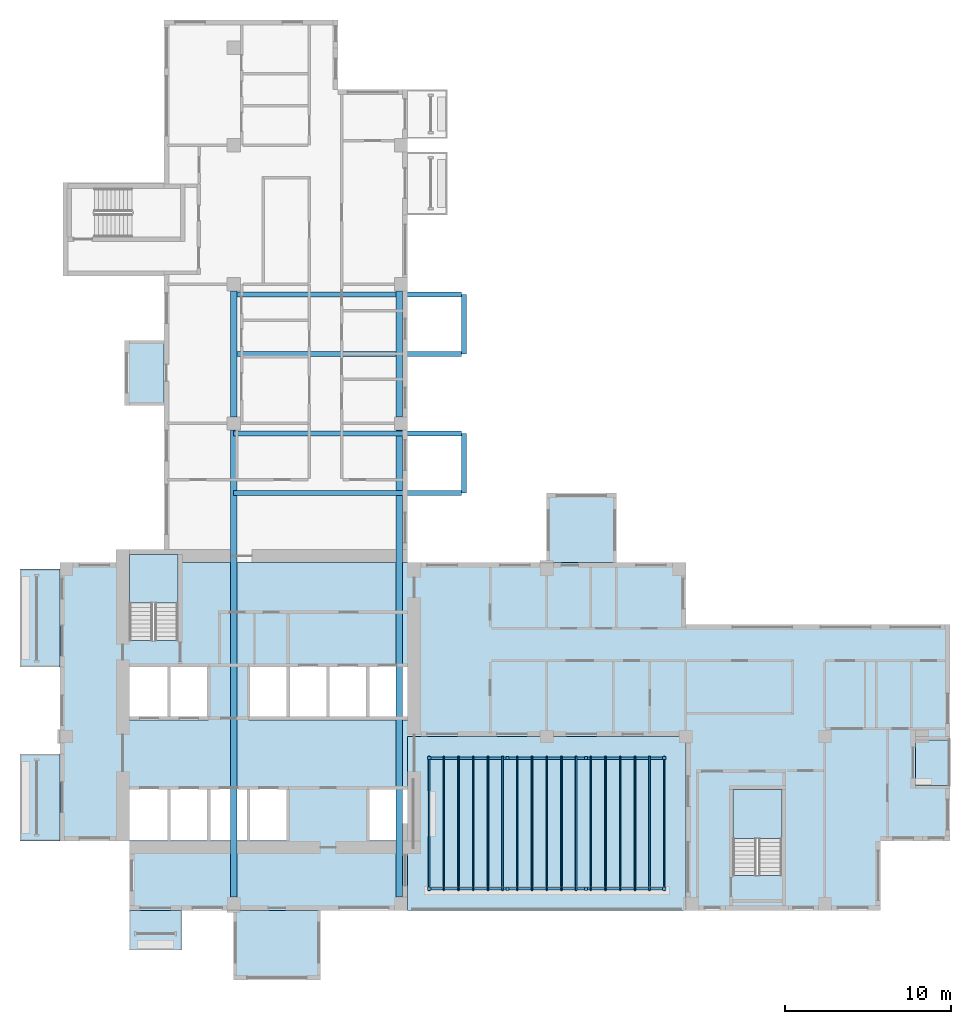
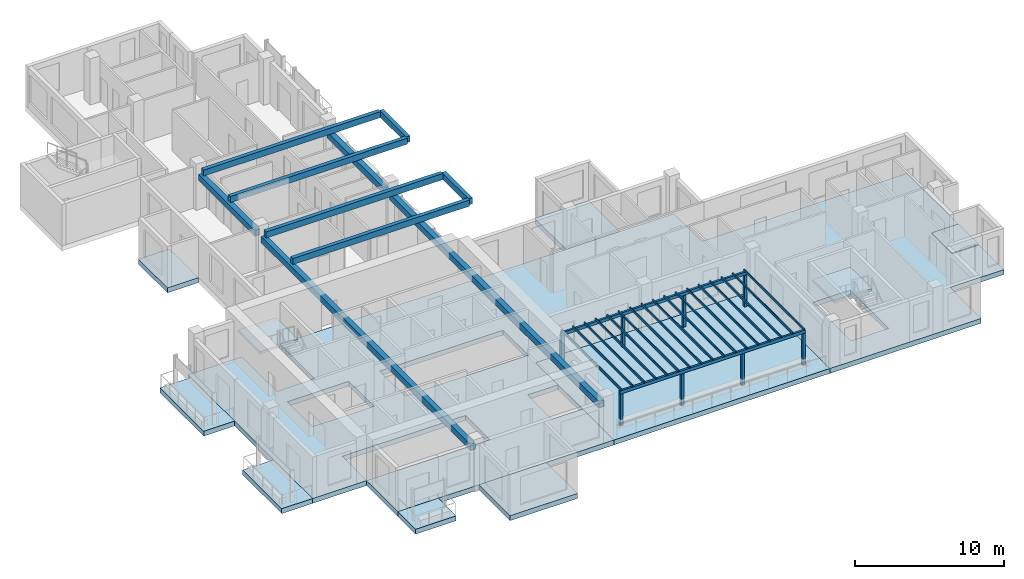
# One storey, part 2 of 13: 27 members, 11 slabs, 10 beams, 2 elements without a shape of their own.
"""IFC4 building model written with IfcOpenShell, lengths in metres."""

from ifc_helpers import new_model, si_unit, direction, frame, origin, origin_2d, place, context, subcontext, project, spatial, polyline, rectangle, outline, extrude, source, transform, mapped, material, layer, layer_set, material_profile, profile_set, type_object, element, aggregate, save


model = new_model("IFC4")

# Units and contexts
model_context = context("Model", 3, precision=1e-05, world=origin(), true_north=direction((0.0, 1.0)))
body_context = subcontext(model_context, "Body", "Model", "MODEL_VIEW")
ifc_project = project(units=[si_unit("LENGTHUNIT", "METRE"), si_unit("AREAUNIT", "SQUARE_METRE"), si_unit("VOLUMEUNIT", "CUBIC_METRE"), si_unit("PLANEANGLEUNIT", "RADIAN"), si_unit("MASSUNIT", "GRAM", prefix="KILO")], contexts=[model_context])

# Site, building, storey
site_placement = place(None, origin())
site = spatial("IfcSite", under=ifc_project, at=site_placement, CompositionType="ELEMENT")
building_placement = place(site_placement, origin())
building = spatial("IfcBuilding", under=site, at=building_placement, Name="Aurelian Terraces", CompositionType="ELEMENT")
storey_placement = place(building_placement, frame((0.0, 0.0, 253.8)))
storey = spatial("IfcBuildingStorey", under=building, at=storey_placement, Name="L58", CompositionType="ELEMENT", Elevation=253.8)

# Beams
ifc_material_1 = material(Name="Concrete fc' 40 MPa", Category="concrete")
ifc_material_profile_1 = material_profile(ifc_material_1, rectangle(XDim=0.3, YDim=0.5, at=origin_2d()))
ifc_profile_set_1 = profile_set([ifc_material_profile_1], Name="Concrete fc' 40 MPa")
beam_type_1 = type_object("IfcBeamType", Name="CONCRETE CANTILEVER BEAM 300X500", PredefinedType="BEAM", material=ifc_profile_set_1)
shared_shape_1 = source(origin(), body_context, "Body", "SweptSolid", [
    extrude(rectangle(XDim=0.3, YDim=0.5, at=origin_2d()), origin(), (0.0, 0.0, 1.0), 13.75),
])
for number, where, z_axis, x_axis, name in (
    (1, (24.25, 25.2, 3.15), (-1.0, 0.0, 0.0), (0.0, -1.0, 0.0), "Box cantilever beam J86.1"),
    (2, (24.25, 28.8, 3.15), (-1.0, 0.0, 0.0), (0.0, -1.0, 0.0), "Box cantilever beam J86.2"),
    (3, (24.25, 33.6, 3.15), (-1.0, 0.0, 0.0), (0.0, -1.0, 0.0), "Box cantilever beam J87.1"),
    (4, (24.25, 37.2, 3.15), (-1.0, 0.0, 0.0), (0.0, -1.0, 0.0), "Box cantilever beam J87.2"),
):
    element("IfcBeam", number, at=place(storey_placement, frame(where, z_axis=z_axis, x_axis=x_axis)), inside=storey, type_object=beam_type_1, Name=name, PredefinedType="BEAM", context=body_context, shape_type="MappedRepresentation", body=[
        mapped(shared_shape_1, transform((0.0, 0.0, 0.0), scale=1.0)),
    ])
ifc_material_profile_2 = material_profile(ifc_material_1, rectangle(XDim=0.4, YDim=0.5, at=origin_2d()))
ifc_profile_set_2 = profile_set([ifc_material_profile_2], Name="Concrete fc' 40 MPa")
beam_type_2 = type_object("IfcBeamType", Name="CONCRETE EDGE GIRDER 400X500", PredefinedType="BEAM", material=ifc_profile_set_2)
shared_shape_2 = source(origin(), body_context, "Body", "SweptSolid", [
    extrude(rectangle(XDim=0.4, YDim=0.5, at=origin_2d()), origin(), (0.0, 0.0, 1.0), 7.6),
])
for number, where, z_axis, x_axis, name in (
    (5, (20.5, 29.8, 2.65), (0.0, 1.0, 0.0), (-1.0, 0.0, 0.0), "Box girder L58 O169"),
    (6, (10.5, 29.8, 2.65), (0.0, 1.0, 0.0), (-1.0, 0.0, 0.0), "Box girder L58 I170"),
):
    element("IfcBeam", number, at=place(storey_placement, frame(where, z_axis=z_axis, x_axis=x_axis)), inside=storey, type_object=beam_type_2, Name=name, PredefinedType="BEAM", context=body_context, shape_type="MappedRepresentation", body=[
        mapped(shared_shape_2, transform((0.0, 0.0, 0.0), scale=1.0)),
    ])
shared_shape_3 = source(origin(), body_context, "Body", "SweptSolid", [
    extrude(rectangle(XDim=0.3, YDim=0.5, at=origin_2d()), origin(), (0.0, 0.0, 1.0), 3.6),
])
for number, where, z_axis, x_axis, name in (
    (7, (24.4, 25.2, 3.15), (0.0, 1.0, 0.0), (-1.0, 0.0, 0.0), "Box tip beam J86"),
    (8, (24.4, 33.6, 3.15), (0.0, 1.0, 0.0), (-1.0, 0.0, 0.0), "Box tip beam J87"),
):
    element("IfcBeam", number, at=place(storey_placement, frame(where, z_axis=z_axis, x_axis=x_axis)), inside=storey, type_object=beam_type_1, Name=name, PredefinedType="BEAM", context=body_context, shape_type="MappedRepresentation", body=[
        mapped(shared_shape_3, transform((0.0, 0.0, 0.0), scale=1.0)),
    ])
shared_shape_4 = source(origin(), body_context, "Body", "SweptSolid", [
    extrude(rectangle(XDim=0.4, YDim=0.5, at=origin_2d()), origin(), (0.0, 0.0, 1.0), 28.2),
])
for number, where, z_axis, x_axis, name in (
    (9, (20.5, 0.8, 2.65), (0.0, 1.0, 0.0), (-1.0, 0.0, 0.0), "Box girder L58 O167"),
    (10, (10.5, 0.8, 2.65), (0.0, 1.0, 0.0), (-1.0, 0.0, 0.0), "Box girder L58 I168"),
):
    element("IfcBeam", number, at=place(storey_placement, frame(where, z_axis=z_axis, x_axis=x_axis)), inside=storey, type_object=beam_type_2, Name=name, PredefinedType="BEAM", context=body_context, shape_type="MappedRepresentation", body=[
        mapped(shared_shape_4, transform((0.0, 0.0, 0.0), scale=1.0)),
    ])

# Members
ifc_material_2 = material(Name="Anodised aluminium", Category="aluminium")
ifc_material_profile_3 = material_profile(ifc_material_2, rectangle(XDim=0.2, YDim=0.2, at=origin_2d()))
ifc_profile_set_3 = profile_set([ifc_material_profile_3], Name="Anodised aluminium")
member_type_1 = type_object("IfcMemberType", Name="PERGOLA POST 200X200", PredefinedType="POST", material=ifc_profile_set_3)
shared_shape_5 = source(origin(), body_context, "Body", "SweptSolid", [
    extrude(rectangle(XDim=0.2, YDim=0.2, at=origin_2d()), origin(), (0.0, 0.0, 1.0), 2.6),
])
for number, where, z_axis, x_axis, name in (
    (11, (22.3, 1.3, 0.0), (0.0, 0.0, 1.0), (1.0, 0.0, 0.0), "Pergola post L58 SKY-09-T1.1.1"),
    (12, (22.3, 9.2, 0.0), (0.0, 0.0, 1.0), (1.0, 0.0, 0.0), "Pergola post L58 SKY-09-T1.1.2"),
    (13, (27.0333, 1.3, 0.0), (0.0, 0.0, 1.0), (1.0, 0.0, 0.0), "Pergola post L58 SKY-09-T1.2.1"),
    (14, (27.0333, 9.2, 0.0), (0.0, 0.0, 1.0), (1.0, 0.0, 0.0), "Pergola post L58 SKY-09-T1.2.2"),
    (15, (31.7667, 1.3, 0.0), (0.0, 0.0, 1.0), (1.0, 0.0, 0.0), "Pergola post L58 SKY-09-T1.3.1"),
    (16, (31.7667, 9.2, 0.0), (0.0, 0.0, 1.0), (1.0, 0.0, 0.0), "Pergola post L58 SKY-09-T1.3.2"),
    (17, (36.5, 1.3, 0.0), (0.0, 0.0, 1.0), (1.0, 0.0, 0.0), "Pergola post L58 SKY-09-T1.4.1"),
    (18, (36.5, 9.2, 0.0), (0.0, 0.0, 1.0), (1.0, 0.0, 0.0), "Pergola post L58 SKY-09-T1.4.2"),
):
    element("IfcMember", number, at=place(storey_placement, frame(where, z_axis=z_axis, x_axis=x_axis)), inside=storey, type_object=member_type_1, Name=name, PredefinedType="POST", context=body_context, shape_type="MappedRepresentation", body=[
        mapped(shared_shape_5, transform((0.0, 0.0, 0.0), scale=1.0)),
    ])
ifc_material_profile_4 = material_profile(ifc_material_2, rectangle(XDim=0.15, YDim=0.25, at=origin_2d()))
ifc_profile_set_4 = profile_set([ifc_material_profile_4], Name="Anodised aluminium")
member_type_2 = type_object("IfcMemberType", Name="PERGOLA BEAM 150X250", PredefinedType="PURLIN", material=ifc_profile_set_4)
shared_shape_6 = source(origin(), body_context, "Body", "SweptSolid", [
    extrude(rectangle(XDim=0.15, YDim=0.25, at=origin_2d()), origin(), (0.0, 0.0, 1.0), 14.4),
])
for number, where, z_axis, x_axis, name in (
    (19, (22.2, 1.3, 2.725), (1.0, 0.0, 0.0), (0.0, 1.0, 0.0), "Pergola beam L58 SKY-09-T1.1"),
    (20, (22.2, 9.2, 2.725), (1.0, 0.0, 0.0), (0.0, 1.0, 0.0), "Pergola beam L58 SKY-09-T1.2"),
):
    element("IfcMember", number, at=place(storey_placement, frame(where, z_axis=z_axis, x_axis=x_axis)), inside=storey, type_object=member_type_2, Name=name, PredefinedType="PURLIN", context=body_context, shape_type="MappedRepresentation", body=[
        mapped(shared_shape_6, transform((0.0, 0.0, 0.0), scale=1.0)),
    ])
ifc_material_profile_5 = material_profile(ifc_material_2, rectangle(XDim=0.08, YDim=0.15, at=origin_2d()))
ifc_profile_set_5 = profile_set([ifc_material_profile_5], Name="Anodised aluminium")
member_type_3 = type_object("IfcMemberType", Name="PERGOLA RAFTER 80X150", PredefinedType="RAFTER", material=ifc_profile_set_5)
shared_shape_7 = source(origin(), body_context, "Body", "SweptSolid", [
    extrude(rectangle(XDim=0.08, YDim=0.15, at=origin_2d()), origin(), (0.0, 0.0, 1.0), 8.1),
])
for number, where, z_axis, x_axis, name in (
    (21, (22.3, 1.2, 2.925), (0.0, 1.0, 0.0), (-1.0, 0.0, 0.0), "Pergola rafter L58 SKY-09-T1.1"),
    (22, (23.1875, 1.2, 2.925), (0.0, 1.0, 0.0), (-1.0, 0.0, 0.0), "Pergola rafter L58 SKY-09-T1.2"),
    (23, (24.075, 1.2, 2.925), (0.0, 1.0, 0.0), (-1.0, 0.0, 0.0), "Pergola rafter L58 SKY-09-T1.3"),
    (24, (24.9625, 1.2, 2.925), (0.0, 1.0, 0.0), (-1.0, 0.0, 0.0), "Pergola rafter L58 SKY-09-T1.4"),
    (25, (25.85, 1.2, 2.925), (0.0, 1.0, 0.0), (-1.0, 0.0, 0.0), "Pergola rafter L58 SKY-09-T1.5"),
    (26, (26.7375, 1.2, 2.925), (0.0, 1.0, 0.0), (-1.0, 0.0, 0.0), "Pergola rafter L58 SKY-09-T1.6"),
    (27, (27.625, 1.2, 2.925), (0.0, 1.0, 0.0), (-1.0, 0.0, 0.0), "Pergola rafter L58 SKY-09-T1.7"),
    (28, (28.5125, 1.2, 2.925), (0.0, 1.0, 0.0), (-1.0, 0.0, 0.0), "Pergola rafter L58 SKY-09-T1.8"),
    (29, (29.4, 1.2, 2.925), (0.0, 1.0, 0.0), (-1.0, 0.0, 0.0), "Pergola rafter L58 SKY-09-T1.9"),
    (30, (30.2875, 1.2, 2.925), (0.0, 1.0, 0.0), (-1.0, 0.0, 0.0), "Pergola rafter L58 SKY-09-T1.10"),
    (31, (31.175, 1.2, 2.925), (0.0, 1.0, 0.0), (-1.0, 0.0, 0.0), "Pergola rafter L58 SKY-09-T1.11"),
    (32, (32.0625, 1.2, 2.925), (0.0, 1.0, 0.0), (-1.0, 0.0, 0.0), "Pergola rafter L58 SKY-09-T1.12"),
    (33, (32.95, 1.2, 2.925), (0.0, 1.0, 0.0), (-1.0, 0.0, 0.0), "Pergola rafter L58 SKY-09-T1.13"),
    (34, (33.8375, 1.2, 2.925), (0.0, 1.0, 0.0), (-1.0, 0.0, 0.0), "Pergola rafter L58 SKY-09-T1.14"),
    (35, (34.725, 1.2, 2.925), (0.0, 1.0, 0.0), (-1.0, 0.0, 0.0), "Pergola rafter L58 SKY-09-T1.15"),
    (36, (35.6125, 1.2, 2.925), (0.0, 1.0, 0.0), (-1.0, 0.0, 0.0), "Pergola rafter L58 SKY-09-T1.16"),
    (37, (36.5, 1.2, 2.925), (0.0, 1.0, 0.0), (-1.0, 0.0, 0.0), "Pergola rafter L58 SKY-09-T1.17"),
):
    element("IfcMember", number, at=place(storey_placement, frame(where, z_axis=z_axis, x_axis=x_axis)), inside=storey, type_object=member_type_3, Name=name, PredefinedType="RAFTER", context=body_context, shape_type="MappedRepresentation", body=[
        mapped(shared_shape_7, transform((0.0, 0.0, 0.0), scale=1.0)),
    ])

# Slabs
ifc_layer_1 = layer(ifc_material_1, 0.4)
ifc_layer_set_1 = layer_set([ifc_layer_1], Name="Balcony slab 400")
slab_type_1 = type_object("IfcSlabType", Name="Balcony slab 400", PredefinedType="NOTDEFINED", material=ifc_layer_set_1)
slab_1_placement = place(storey_placement, frame((0.0, 0.0, -0.4)))
element("IfcSlab", 38, at=slab_1_placement, inside=storey, type_object=slab_type_1, Name="Balcony slab L58 F24.38", PredefinedType="NOTDEFINED", context=body_context, shape_type="SweptSolid", body=[
    extrude(outline(polyline([(0.0, 20.6), (0.0, 14.7), (-2.4, 14.7), (-2.4, 20.6), (0.0, 20.6)])), origin(), (0.0, 0.0, 1.0), 0.4),
])
ifc_layer_2 = layer(ifc_material_1, 0.4)
ifc_layer_set_2 = layer_set([ifc_layer_2], Name="PT FLAT PLATE 400")
slab_type_2 = type_object("IfcSlabType", Name="PT FLAT PLATE 400", PredefinedType="FLOOR", material=ifc_layer_set_2)
slab_2_placement = place(storey_placement, frame((0.0, 0.0, -0.4)))
element("IfcSlab", 39, at=slab_2_placement, inside=storey, type_object=slab_type_2, Name="Floor slab S L58", PredefinedType="FLOOR", context=body_context, shape_type="SweptSolid", body=[
    extrude(outline(polyline([(49.56, 4.2), (49.56, 0.0), (37.8, 0.0), (37.8, 10.5), (21.0, 10.5), (21.0, 0.0), (4.2, 0.0), (4.2, 4.2), (0.0, 4.2), (0.0, 21.0), (4.21, 21.0), (4.21, 16.31), (7.14, 16.31), (7.14, 21.0), (21.0, 21.0), (37.8, 21.0), (37.8, 17.25), (49.56, 17.25), (53.76, 17.25), (53.76, 16.8), (53.76, 16.65), (53.76, 4.2), (49.56, 4.2)]), holes=[polyline([(40.66, 2.11), (43.59, 2.11), (43.59, 7.29), (40.66, 7.29), (40.66, 2.11)]), polyline([(18.61, 7.49), (18.61, 4.21), (20.99, 4.21), (20.99, 7.49), (18.61, 7.49)]), polyline([(20.99, 14.89), (11.41, 14.89), (11.41, 11.51), (20.99, 11.51), (20.99, 14.89)]), polyline([(4.21, 7.49), (4.21, 4.21), (13.79, 4.21), (13.79, 7.49), (4.21, 7.49)]), polyline([(4.21, 14.89), (4.21, 11.51), (8.99, 11.51), (8.99, 14.89), (4.21, 14.89)])]), origin(), (0.0, 0.0, 1.0), 0.4),
])
ifc_layer_3 = layer(ifc_material_1, 0.4001)
ifc_layer_set_3 = layer_set([ifc_layer_3], Name="Terrace slab 400")
slab_type_3 = type_object("IfcSlabType", Name="Terrace slab 400", PredefinedType="NOTDEFINED", material=ifc_layer_set_3)
shared_shape_8 = source(origin(), body_context, "Body", "SweptSolid", [
    extrude(outline(polyline([(37.8, 10.5), (37.8, 0.0), (21.0, 0.0), (21.0, 10.5), (37.8, 10.5)])), origin(), (0.0, 0.0, 1.0), 0.4001),
])
slab_3_placement = place(storey_placement, frame((0.0, 0.0, -0.4001)))
element("IfcSlab", 40, at=slab_3_placement, inside=storey, type_object=slab_type_3, Name="Sky terrace L58 SKY-09-T1", PredefinedType="NOTDEFINED", context=body_context, shape_type="MappedRepresentation", body=[
    mapped(shared_shape_8, transform((0.0, 0.0, 0.0), scale=1.0)),
])
ifc_layer_4 = layer(ifc_material_1, 0.41)
ifc_layer_set_4 = layer_set([ifc_layer_4], Name="Box floor 410")
slab_type_4 = type_object("IfcSlabType", Name="Box floor 410", PredefinedType="NOTDEFINED", material=ifc_layer_set_4)
shared_shape_9 = source(origin(), body_context, "Body", "SweptSolid", [
    extrude(outline(polyline([(3.9, 34.4), (3.9, 30.5), (6.3, 30.5), (6.3, 34.4), (3.9, 34.4)])), origin(), (0.0, 0.0, 1.0), 0.41),
])
slab_4_placement = place(storey_placement, frame((0.0, 0.0, -0.41)))
element("IfcSlab", 41, at=slab_4_placement, inside=storey, type_object=slab_type_4, Name="Box floor L58 J85", PredefinedType="NOTDEFINED", context=body_context, shape_type="MappedRepresentation", body=[
    mapped(shared_shape_9, transform((0.0, 0.0, 0.0), scale=1.0)),
])
shared_shape_10 = source(origin(), body_context, "Body", "SweptSolid", [
    extrude(outline(polyline([(0.0, 9.45), (0.0, 4.2), (-2.4, 4.2), (-2.4, 9.45), (0.0, 9.45)])), origin(), (0.0, 0.0, 1.0), 0.4),
])
slab_5_placement = place(storey_placement, frame((0.0, 0.0, -0.4)))
element("IfcSlab", 42, at=slab_5_placement, inside=storey, type_object=slab_type_1, Name="Balcony slab L58 F24.40", PredefinedType="NOTDEFINED", context=body_context, shape_type="MappedRepresentation", body=[
    mapped(shared_shape_10, transform((0.0, 0.0, 0.0), scale=1.0)),
])
shared_shape_11 = source(origin(), body_context, "Body", "SweptSolid", [
    extrude(outline(polyline([(33.6, 25.2), (29.4, 25.2), (29.4, 21.0), (33.6, 21.0), (33.6, 25.2)])), origin(), (0.0, 0.0, 1.0), 0.41),
])
slab_6_placement = place(storey_placement, frame((0.0, 0.0, -0.41)))
element("IfcSlab", 43, at=slab_6_placement, inside=storey, type_object=slab_type_4, Name="Box floor L58 J84", PredefinedType="NOTDEFINED", context=body_context, shape_type="MappedRepresentation", body=[
    mapped(shared_shape_11, transform((0.0, 0.0, 0.0), scale=1.0)),
])
shared_shape_12 = source(origin(), body_context, "Body", "SweptSolid", [
    extrude(outline(polyline([(10.5, -4.2), (15.75, -4.2), (15.75, 0.0), (10.5, 0.0), (10.5, -4.2)])), origin(), (0.0, 0.0, 1.0), 0.41),
])
slab_7_placement = place(storey_placement, frame((0.0, 0.0, -0.41)))
element("IfcSlab", 44, at=slab_7_placement, inside=storey, type_object=slab_type_4, Name="Box floor L58 J83", PredefinedType="NOTDEFINED", context=body_context, shape_type="MappedRepresentation", body=[
    mapped(shared_shape_12, transform((0.0, 0.0, 0.0), scale=1.0)),
])
shared_shape_13 = source(origin(), body_context, "Body", "SweptSolid", [
    extrude(outline(polyline([(4.2, 0.0), (7.35, 0.0), (7.35, -2.4), (4.2, -2.4), (4.2, 0.0)])), origin(), (0.0, 0.0, 1.0), 0.4),
])
slab_8_placement = place(storey_placement, frame((0.0, 0.0, -0.4)))
element("IfcSlab", 45, at=slab_8_placement, inside=storey, type_object=slab_type_1, Name="Balcony slab L58 F01.1", PredefinedType="NOTDEFINED", context=body_context, shape_type="MappedRepresentation", body=[
    mapped(shared_shape_13, transform((0.0, 0.0, 0.0), scale=1.0)),
])
ifc_material_3 = material(Name="Granite paving", Category="masonry")
ifc_layer_5 = layer(ifc_material_3, 0.05)
ifc_layer_set_5 = layer_set([ifc_layer_5], Name="Loggia paving 50")
slab_type_5 = type_object("IfcSlabType", Name="Loggia paving 50", PredefinedType="NOTDEFINED", material=ifc_layer_set_5)
shared_shape_14 = source(origin(), body_context, "Body", "SweptSolid", [
    extrude(outline(polyline([(53.76, 7.55), (53.76, 10.3), (51.66, 10.3), (51.66, 7.55), (53.76, 7.55)])), origin(), (0.0, 0.0, 1.0), 0.05),
])
slab_9_placement = place(storey_placement, origin())
element("IfcSlab", 46, at=slab_9_placement, inside=storey, type_object=slab_type_5, Name="Loggia floor L58 F08.15", PredefinedType="NOTDEFINED", context=body_context, shape_type="MappedRepresentation", body=[
    mapped(shared_shape_14, transform((0.0, 0.0, 0.0), scale=1.0)),
])

# Stair, slab
stair_type = type_object("IfcStairType", Name="Stair 1400", PredefinedType="HALF_TURN_STAIR", material=ifc_material_1)
stair_1_placement = place(storey_placement, origin())
stair_1 = element("IfcStair", 47, at=stair_1_placement, inside=storey, type_object=stair_type, Name="L58 S1", PredefinedType="HALF_TURN_STAIR")
ifc_layer_6 = layer(ifc_material_1, 0.2)
ifc_layer_set_6 = layer_set([ifc_layer_6], Name="Stair landing 200")
slab_type_6 = type_object("IfcSlabType", Name="Stair landing 200", PredefinedType="LANDING", material=ifc_layer_set_6)
shared_shape_15 = source(origin(), body_context, "Body", "SweptSolid", [
    extrude(outline(polyline([(7.15, 18.55), (7.15, 21.5), (4.2, 21.5), (4.2, 18.55), (7.15, 18.55)])), origin(), (0.0, 0.0, 1.0), 0.2),
])
slab_10_placement = place(storey_placement, frame((0.0, 0.0, 1.7)))
slab_10 = element("IfcSlab", 48, at=slab_10_placement, type_object=slab_type_6, Name="S1 landing 1", PredefinedType="LANDING", context=body_context, shape_type="MappedRepresentation", body=[
    mapped(shared_shape_15, transform((0.0, 0.0, 0.0), scale=1.0)),
])
aggregate(stair_1, [slab_10])

stair_2_placement = place(storey_placement, origin())
stair_2 = element("IfcStair", 49, at=stair_2_placement, inside=storey, type_object=stair_type, Name="L58 S2", PredefinedType="HALF_TURN_STAIR")
shared_shape_16 = source(origin(), body_context, "Body", "SweptSolid", [
    extrude(outline(polyline([(43.6, 4.35), (43.6, 7.3), (40.65, 7.3), (40.65, 4.35), (43.6, 4.35)])), origin(), (0.0, 0.0, 1.0), 0.2),
])
slab_11_placement = place(storey_placement, frame((0.0, 0.0, 1.7)))
slab_11 = element("IfcSlab", 50, at=slab_11_placement, type_object=slab_type_6, Name="S2 landing 1", PredefinedType="LANDING", context=body_context, shape_type="MappedRepresentation", body=[
    mapped(shared_shape_16, transform((0.0, 0.0, 0.0), scale=1.0)),
])
aggregate(stair_2, [slab_11])

save(model, "model.ifc")
